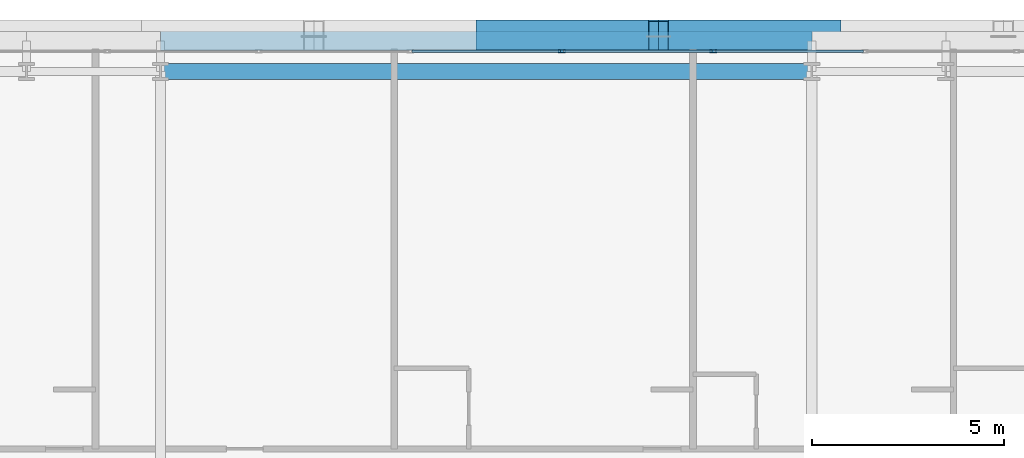
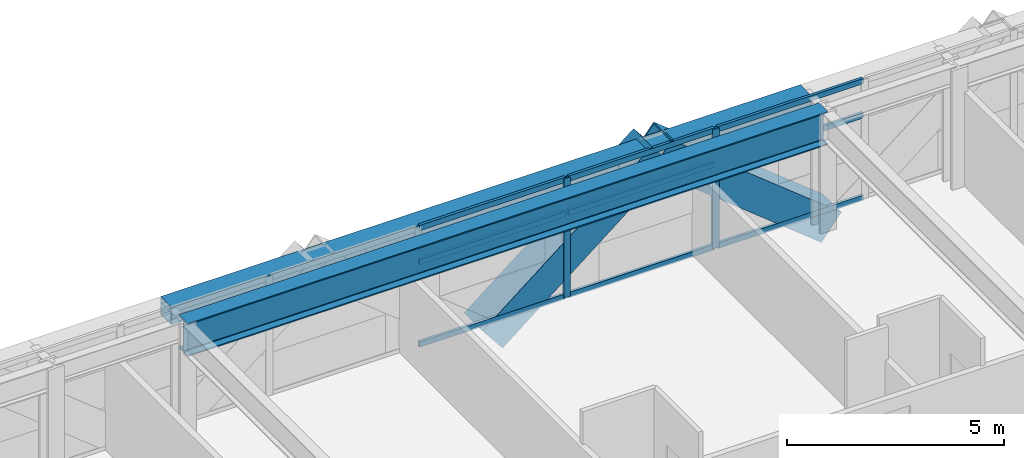
# One storey, part 19 of 35: 13 members, 2 beams, 1 element without a shape of its own.
"""IFC4 building model written with IfcOpenShell, lengths in metres."""

import ifcopenshell
import ifcopenshell.guid

model = None  # the IFC model being written
_history = None  # IfcOwnerHistory: only IFC2X3 demands one
_inside = {}  # id of a spatial element -> (the spatial element, [elements in it])
_under = {}  # id of a project, library or spatial element -> (it, [spatial elements below it])
_declared = {}  # id of a project -> (the project, [libraries it declares])
_typed = {}  # id of a type object -> (the type object, [elements of that type])
_made_of = {}  # id of a material, layer set ... -> (it, [elements and type objects made of it])


def new_model(schema):
    """Start an empty IFC model of exactly this schema.

    Asked for "IFC4X3", IfcOpenShell would pick the latest addendum, in which some entities
    have other attributes; the version numbers below select the first issue.
    IFC2X3 requires an IfcOwnerHistory on every rooted entity: one is made here for all.
    """
    global model, _history
    if schema == "IFC4X3":
        model = ifcopenshell.file(schema_version=(4, 3, 0, 0))
    else:
        model = ifcopenshell.file(schema=schema)
    _inside.clear()
    _under.clear()
    _declared.clear()
    _typed.clear()
    _made_of.clear()
    _history = None
    if model.schema == "IFC2X3":
        org = make("IfcOrganization", Name="unknown")
        user = make(
            "IfcPersonAndOrganization",
            ThePerson=make("IfcPerson", FamilyName="unknown"),
            TheOrganization=org,
        )
        app = make(
            "IfcApplication",
            ApplicationDeveloper=org,
            Version="unknown",
            ApplicationFullName="unknown",
            ApplicationIdentifier="unknown",
        )
        _history = make(
            "IfcOwnerHistory",
            OwningUser=user,
            OwningApplication=app,
            ChangeAction="ADDED",
            CreationDate=0,
        )
    return model


def make(cls, **values):
    """One entity of the class cls with the attributes given. An attribute that is None is left unset."""
    return model.create_entity(
        cls, **{name: value for name, value in values.items() if value is not None}
    )


def rooted(cls, **values):
    """An entity with a GlobalId (a new one), such as an element, a storey or a relation."""
    return make(cls, GlobalId=ifcopenshell.guid.new(), OwnerHistory=_history, **values)


def si_unit(unit_type, name, prefix=None):
    """IfcSIUnit, for example si_unit("LENGTHUNIT", "METRE", prefix="MILLI")."""
    return make("IfcSIUnit", UnitType=unit_type, Prefix=prefix, Name=name)


def assignment(units):
    """IfcUnitAssignment: the units of a project."""
    return None if units is None else make("IfcUnitAssignment", Units=units)


def point(xyz):
    """IfcCartesianPoint."""
    return None if xyz is None else make("IfcCartesianPoint", Coordinates=xyz)


def direction(xyz):
    """IfcDirection."""
    return None if xyz is None else make("IfcDirection", DirectionRatios=xyz)


def frame(location, z_axis=None, x_axis=None):
    """IfcAxis2Placement3D, a coordinate frame: its origin and axes. An axis left out is left unset."""
    return make(
        "IfcAxis2Placement3D",
        Location=point(location),
        Axis=direction(z_axis),
        RefDirection=direction(x_axis),
    )


def frame_2d(location, x_axis=None):
    """IfcAxis2Placement2D, a coordinate frame in the plane: its origin and x axis."""
    return make(
        "IfcAxis2Placement2D", Location=point(location), RefDirection=direction(x_axis)
    )


def origin():
    """The frame at (0, 0, 0) with its axes left unset."""
    return frame((0.0, 0.0, 0.0))


def origin_2d():
    """The frame at (0, 0) in the plane with its x axis left unset."""
    return frame_2d((0.0, 0.0))


def place(relative_to, where):
    """IfcLocalPlacement: puts the frame where relative to a parent placement (None: the world)."""
    return make(
        "IfcLocalPlacement", PlacementRelTo=relative_to, RelativePlacement=where
    )


def context(
    kind, dimensions, precision=None, world=None, true_north=None, identifier=None
):
    """IfcGeometricRepresentationContext, for example the 3D "Model" context."""
    return make(
        "IfcGeometricRepresentationContext",
        ContextIdentifier=identifier,
        ContextType=kind,
        CoordinateSpaceDimension=dimensions,
        Precision=precision,
        WorldCoordinateSystem=world,
        TrueNorth=true_north,
    )


def subcontext(parent, identifier, kind, view, scale=None):
    """IfcGeometricRepresentationSubContext, for example "Body" below "Model"."""
    return make(
        "IfcGeometricRepresentationSubContext",
        ContextIdentifier=identifier,
        ContextType=kind,
        ParentContext=parent,
        TargetScale=scale,
        TargetView=view,
    )


def project(units=None, contexts=None):
    """IfcProject with its units and contexts."""
    return rooted(
        "IfcProject",
        Name="project",
        RepresentationContexts=contexts,
        UnitsInContext=assignment(units),
    )


def spatial(cls, under=None, at=None, **own):
    """A site, building, storey or space (cls), placed at a placement, below another one or the project."""
    s = rooted(cls, ObjectPlacement=at, **own)
    if under is not None:
        _under.setdefault(under.id(), (under, []))[1].append(s)
    return s


def profile(cls, at=None, kind="AREA", **sizes):
    """A parametric profile (cls). Its sizes go by their IFC names, for example OverallWidth=200.0."""
    return make(cls, ProfileType=kind, Position=at, **sizes)


def hollow_rectangle(**sizes):
    """IfcRectangleHollowProfileDef."""
    return profile("IfcRectangleHollowProfileDef", **sizes)


def i_section(**sizes):
    """IfcIShapeProfileDef."""
    return profile("IfcIShapeProfileDef", **sizes)


def extrude(swept, where, along, depth):
    """IfcExtrudedAreaSolid: the profile swept, set in the frame where, extruded along a direction by depth."""
    return make(
        "IfcExtrudedAreaSolid",
        SweptArea=swept,
        Position=where,
        ExtrudedDirection=direction(along),
        Depth=depth,
    )


def shape(context_of_items, identifier, shape_type, items):
    """IfcShapeRepresentation: the items that make up one representation, for example the "Body"."""
    return make(
        "IfcShapeRepresentation",
        ContextOfItems=context_of_items,
        RepresentationIdentifier=identifier,
        RepresentationType=shape_type,
        Items=items,
    )


def source(mapping_origin, context_of_items, identifier, shape_type, items):
    """IfcRepresentationMap: a shape defined once, which mapped items show again and again."""
    return make(
        "IfcRepresentationMap",
        MappingOrigin=mapping_origin,
        MappedRepresentation=shape(context_of_items, identifier, shape_type, items),
    )


def transform(
    local_origin,
    x_axis=None,
    y_axis=None,
    z_axis=None,
    scale=None,
    scale2=None,
    scale3=None,
    uniform=True,
):
    """IfcCartesianTransformationOperator3D, or its non-uniform kind. x_axis, y_axis, z_axis: its Axis1, 2, 3."""
    if uniform:
        return make(
            "IfcCartesianTransformationOperator3D",
            Axis1=direction(x_axis),
            Axis2=direction(y_axis),
            LocalOrigin=point(local_origin),
            Scale=scale,
            Axis3=direction(z_axis),
        )
    return make(
        "IfcCartesianTransformationOperator3DnonUniform",
        Axis1=direction(x_axis),
        Axis2=direction(y_axis),
        LocalOrigin=point(local_origin),
        Scale=scale,
        Axis3=direction(z_axis),
        Scale2=scale2,
        Scale3=scale3,
    )


def mapped(mapping_source, mapping_target):
    """IfcMappedItem: shows the shape of a source again, moved by a transform."""
    return make(
        "IfcMappedItem", MappingSource=mapping_source, MappingTarget=mapping_target
    )


def material(Name=None, Category=None):
    """IfcMaterial."""
    return make("IfcMaterial", Name=Name, Category=Category)


def layer(
    of_material, thickness, ventilated=None, Name=None, Category=None, Priority=None
):
    """IfcMaterialLayer: one layer of a wall or slab, of a material (None: an air gap)."""
    return make(
        "IfcMaterialLayer",
        Material=of_material,
        LayerThickness=thickness,
        IsVentilated=ventilated,
        Name=Name,
        Category=Category,
        Priority=Priority,
    )


def layer_set(layers, Name=None):
    """IfcMaterialLayerSet."""
    return make("IfcMaterialLayerSet", MaterialLayers=layers, LayerSetName=Name)


def material_profile(
    of_material, cross_section, Name=None, Category=None, Priority=None
):
    """IfcMaterialProfile: a cross section and its material."""
    return make(
        "IfcMaterialProfile",
        Name=Name,
        Material=of_material,
        Profile=cross_section,
        Priority=Priority,
        Category=Category,
    )


def profile_set(profiles, Name=None, composite=None):
    """IfcMaterialProfileSet."""
    return make(
        "IfcMaterialProfileSet",
        Name=Name,
        MaterialProfiles=profiles,
        CompositeProfile=composite,
    )


def made_of(thing, what):
    """Note that an element or type object is made of a material, layer set ...; save() writes the relation."""
    if what is not None:
        _made_of.setdefault(what.id(), (what, []))[1].append(thing)
    return thing


def type_object(cls, material=None, **own):
    """A type object (cls), such as IfcWallType, which elements share."""
    return made_of(rooted(cls, **own), material)


def element(
    cls,
    number,
    at=None,
    inside=None,
    cuts=None,
    type_object=None,
    material=None,
    context=None,
    identifier="Body",
    shape_type=None,
    held_by="IfcProductDefinitionShape",
    body=None,
    shapes=None,
    **own,
):
    """One element of the class cls, such as IfcWall. Its Tag is "e" and its number.

    at: its placement. inside: the storey or other place that contains it. cuts: it is an
    opening in that element (IfcRelVoidsElement). A single representation is given by context,
    identifier, shape_type and body (its items); several are given by shapes. held_by: the class
    of the entity that holds the representations. save() writes the other relations.
    """
    e = rooted(cls, Tag="e%d" % number, ObjectPlacement=at, **own)
    if body is not None:
        shapes = [shape(context, identifier, shape_type, body)]
    if shapes is not None:
        e.Representation = make(held_by, Representations=shapes)
    if inside is not None:
        _inside.setdefault(inside.id(), (inside, []))[1].append(e)
    if cuts is not None:
        rooted(
            "IfcRelVoidsElement", RelatingBuildingElement=cuts, RelatedOpeningElement=e
        )
    if type_object is not None:
        _typed.setdefault(type_object.id(), (type_object, []))[1].append(e)
    return made_of(e, material)


def aggregate(whole, parts):
    """IfcRelAggregates: a whole, such as a stair, and the parts it consists of."""
    return rooted("IfcRelAggregates", RelatingObject=whole, RelatedObjects=parts)


def save(model, path):
    """Write the relations noted so far, then the file.

    IfcRelAggregates (storeys below a building ...), IfcRelContainedInSpatialStructure (elements
    in a storey), IfcRelDefinesByType, IfcRelAssociatesMaterial and IfcRelDeclares: one each for
    every whole, place, type object, material and project.
    """
    for whole, parts in _under.values():
        aggregate(whole, parts)
    for where, things in _inside.values():
        rooted(
            "IfcRelContainedInSpatialStructure",
            RelatedElements=things,
            RelatingStructure=where,
        )
    for kind, things in _typed.values():
        rooted("IfcRelDefinesByType", RelatedObjects=things, RelatingType=kind)
    for what, things in _made_of.values():
        rooted("IfcRelAssociatesMaterial", RelatedObjects=things, RelatingMaterial=what)
    for by, libraries in _declared.values():
        rooted("IfcRelDeclares", RelatingContext=by, RelatedDefinitions=libraries)
    model.write(path)


model = new_model("IFC4")

# Units and contexts
model_context = context("Model", 3, precision=1e-05, world=origin(), true_north=direction((0.0, 1.0)))
body_context = subcontext(model_context, "Body", "Model", "MODEL_VIEW")
ifc_project = project(units=[si_unit("LENGTHUNIT", "METRE"), si_unit("AREAUNIT", "SQUARE_METRE"), si_unit("VOLUMEUNIT", "CUBIC_METRE"), si_unit("PLANEANGLEUNIT", "RADIAN"), si_unit("MASSUNIT", "GRAM", prefix="KILO")], contexts=[model_context])

# Site, building, storey
site_placement = place(None, origin())
site = spatial("IfcSite", under=ifc_project, at=site_placement, CompositionType="ELEMENT")
building_placement = place(site_placement, origin())
building = spatial("IfcBuilding", under=site, at=building_placement, Name="Ocotamira Hotel", CompositionType="ELEMENT")
storey_placement = place(building_placement, frame((0.0, 0.0, 63.60009765625)))
storey = spatial("IfcBuildingStorey", under=building, at=storey_placement, Name="L15", CompositionType="ELEMENT", Elevation=63.60009765625)

# Beams
ifc_material_1 = material(Name="Steel ASTM A992 Grade 50", Category="steel")
ifc_material_profile_1 = material_profile(ifc_material_1, i_section(OverallWidth=0.41796875, OverallDepth=0.927001953125, WebThickness=0.019287109375, FlangeThickness=0.031982421875, FilletRadius=0.02392578125, at=origin_2d()), Name="W36X231")
ifc_profile_set_1 = profile_set([ifc_material_profile_1], Name="Steel ASTM A992 Grade 50")
beam_type_1 = type_object("IfcBeamType", Name="BM-GIRD-W36X231", PredefinedType="BEAM", material=ifc_profile_set_1)
shared_shape_1 = source(origin(), body_context, "Body", "SweptSolid", [
    extrude(i_section(OverallWidth=0.41796875, OverallDepth=0.927001953125, WebThickness=0.019287109375, FlangeThickness=0.031982421875, FilletRadius=0.02392578125, at=origin_2d()), origin(), (0.0, 0.0, 1.0), 17.0),
])
beam_1_placement = place(storey_placement, frame((23.5, 49.050048828125, 2.886474609375), z_axis=(1.0, 0.0, 0.0), x_axis=(0.0, 1.0, 0.0)))
element("IfcBeam", 1, at=beam_1_placement, inside=storey, type_object=beam_type_1, Name="L15 Girder Y49.05 X23.5-40.5", PredefinedType="BEAM", context=body_context, shape_type="MappedRepresentation", body=[
    mapped(shared_shape_1, transform((0.0, 0.0, 0.0), scale=1.0)),
])
ifc_material_2 = material(Name="Steel ASTM A500 Grade C", Category="steel")
ifc_material_profile_2 = material_profile(ifc_material_2, hollow_rectangle(XDim=0.5, YDim=0.5, WallThickness=0.02001953125, at=origin_2d()), Name="HSS500X500X20")
ifc_profile_set_2 = profile_set([ifc_material_profile_2], Name="Steel ASTM A500 Grade C")
beam_type_2 = type_object("IfcBeamType", Name="BM-SPAN-HSS500", PredefinedType="USERDEFINED", material=ifc_profile_set_2)
shared_shape_2 = source(origin(), body_context, "Body", "SweptSolid", [
    extrude(hollow_rectangle(XDim=0.5, YDim=0.5, WallThickness=0.02001953125, at=origin_2d()), origin(), (0.0, 0.0, 1.0), 17.0),
])
beam_2_placement = place(storey_placement, frame((23.5, 49.85009765625, 3.099853515625), z_axis=(1.0, 0.0, 0.0), x_axis=(0.0, 1.0, 0.0)))
element("IfcBeam", 2, at=beam_2_placement, inside=storey, type_object=beam_type_2, Name="L15 Edge Spandrel N X23.5-40.5", ObjectType="SPANDREL", PredefinedType="USERDEFINED", context=body_context, shape_type="MappedRepresentation", body=[
    mapped(shared_shape_2, transform((0.0, 0.0, 0.0), scale=1.0)),
])

# Members
ifc_material_3 = material(Name="Pale-metal coated steel ASTM A913 Grade 65", Category="steel")
ifc_material_profile_3 = material_profile(ifc_material_3, hollow_rectangle(XDim=0.85009765625, YDim=0.85009765625, WallThickness=0.035888671875, at=origin_2d()), Name="BOX850X850X36")
ifc_profile_set_3 = profile_set([ifc_material_profile_3], Name="Pale-metal coated steel ASTM A913 Grade 65")
member_type_1 = type_object("IfcMemberType", Name="MEM-EXO-BOX850", PredefinedType="BRACE", material=ifc_profile_set_3)
shared_shape_3 = source(origin(), body_context, "Body", "SweptSolid", [
    extrude(hollow_rectangle(XDim=0.85009765625, YDim=0.85009765625, WallThickness=0.035888671875, at=origin_2d()), origin(), (0.0, 0.0, 1.0), 5.7626953125),
])
for number, where, z_axis, x_axis, name in (
    (3, (32.0, 49.969970703125, -0.5), (0.780881208953, 0.0, 0.624679547852), (0.0, 1.0, 0.0), "L15 Exoskeleton Diagrid N2.1"),
    (4, (41.0, 49.969970703125, -0.5), (-0.780881208953, 0.0, 0.624679547852), (0.0, -1.0, 0.0), "L15 Exoskeleton Diagrid N2.2"),
):
    element("IfcMember", number, at=place(storey_placement, frame(where, z_axis=z_axis, x_axis=x_axis)), inside=storey, type_object=member_type_1, Name=name, PredefinedType="BRACE", context=body_context, shape_type="MappedRepresentation", body=[
        mapped(shared_shape_3, transform((0.0, 0.0, 0.0), scale=1.0)),
    ])

# Curtain wall, members
ifc_material_4 = material(Name="Anodised pale-metal aluminium and solar glass", Category="aluminium")
ifc_layer = layer(ifc_material_4, 0.179931640625)
ifc_layer_set = layer_set([ifc_layer], Name="Anodised pale-metal aluminium and solar glass")
curtain_wall_type = type_object("IfcCurtainWallType", Name="CW-SYS2-Z1", PredefinedType="NOTDEFINED", material=ifc_layer_set)
curtain_wall_placement = place(storey_placement, origin())
curtain_wall = element("IfcCurtainWall", 5, at=curtain_wall_placement, inside=storey, type_object=curtain_wall_type, Name="L15 Curtain Wall CW-2 CW-L15-N", PredefinedType="NOTDEFINED")
ifc_material_5 = material(Name="Anodised pale-metal aluminium 6063-T6", Category="aluminium")
ifc_material_profile_4 = material_profile(ifc_material_5, hollow_rectangle(XDim=0.080078125, YDim=0.179931640625, WallThickness=0.006103515625, at=origin_2d()), Name="HSS180X80X6")
ifc_profile_set_4 = profile_set([ifc_material_profile_4], Name="Anodised pale-metal aluminium 6063-T6")
member_type_2 = type_object("IfcMemberType", Name="CWM-180X75", PredefinedType="MULLION", material=ifc_profile_set_4)
shared_shape_4 = source(origin(), body_context, "Body", "SweptSolid", [
    extrude(hollow_rectangle(XDim=0.080078125, YDim=0.179931640625, WallThickness=0.006103515625, at=origin_2d()), origin(), (0.0, 0.0, 1.0), 3.349853515625),
])
member_1_placement = place(storey_placement, frame((33.977783203125, 49.580078125, 0.0), z_axis=(0.0, 0.0, 1.0), x_axis=(0.0, 1.0, 0.0)))
member_1 = element("IfcMember", 6, at=member_1_placement, type_object=member_type_2, Name="CW-2 mullion 6", PredefinedType="MULLION", context=body_context, shape_type="MappedRepresentation", body=[
    mapped(shared_shape_4, transform((0.0, 0.0, 0.0), scale=1.0)),
])
member_2_placement = place(storey_placement, frame((37.933349609375, 49.580078125, 0.0), z_axis=(0.0, 0.0, 1.0), x_axis=(0.0, 1.0, 0.0)))
member_2 = element("IfcMember", 7, at=member_2_placement, type_object=member_type_2, Name="CW-2 mullion 7", PredefinedType="MULLION", context=body_context, shape_type="MappedRepresentation", body=[
    mapped(shared_shape_4, transform((0.0, 0.0, 0.0), scale=1.0)),
])
ifc_material_profile_5 = material_profile(ifc_material_5, hollow_rectangle(XDim=0.074951171875, YDim=0.14990234375, WallThickness=0.006103515625, at=origin_2d()), Name="HSS150X75X6")
ifc_profile_set_5 = profile_set([ifc_material_profile_5], Name="Anodised pale-metal aluminium 6063-T6")
member_type_3 = type_object("IfcMemberType", Name="CWT-150X75", PredefinedType="USERDEFINED", material=ifc_profile_set_5)
shared_shape_5 = source(origin(), body_context, "Body", "SweptSolid", [
    extrude(hollow_rectangle(XDim=0.074951171875, YDim=0.14990234375, WallThickness=0.006103515625, at=origin_2d()), origin(), (0.0, 0.0, 1.0), 3.87548828125),
])
member_3_placement = place(storey_placement, frame((30.062255859375, 49.580078125, 0.037353515625), z_axis=(1.0, 0.0, 0.0), x_axis=(0.0, 1.0, 0.0)))
member_3 = element("IfcMember", 8, at=member_3_placement, type_object=member_type_3, Name="CW-2 transom 5.1", ObjectType="TRANSOM", PredefinedType="USERDEFINED", context=body_context, shape_type="MappedRepresentation", body=[
    mapped(shared_shape_5, transform((0.0, 0.0, 0.0), scale=1.0)),
])
member_4_placement = place(storey_placement, frame((30.062255859375, 49.580078125, 2.349853515625), z_axis=(1.0, 0.0, 0.0), x_axis=(0.0, 1.0, 0.0)))
member_4 = element("IfcMember", 9, at=member_4_placement, type_object=member_type_3, Name="CW-2 transom 5.2", ObjectType="TRANSOM", PredefinedType="USERDEFINED", context=body_context, shape_type="MappedRepresentation", body=[
    mapped(shared_shape_5, transform((0.0, 0.0, 0.0), scale=1.0)),
])
member_5_placement = place(storey_placement, frame((30.062255859375, 49.580078125, 3.3125), z_axis=(1.0, 0.0, 0.0), x_axis=(0.0, 1.0, 0.0)))
member_5 = element("IfcMember", 10, at=member_5_placement, type_object=member_type_3, Name="CW-2 transom 5.3", ObjectType="TRANSOM", PredefinedType="USERDEFINED", context=body_context, shape_type="MappedRepresentation", body=[
    mapped(shared_shape_5, transform((0.0, 0.0, 0.0), scale=1.0)),
])
member_6_placement = place(storey_placement, frame((34.017822265625, 49.580078125, 0.037353515625), z_axis=(1.0, 0.0, 0.0), x_axis=(0.0, 1.0, 0.0)))
member_6 = element("IfcMember", 11, at=member_6_placement, type_object=member_type_3, Name="CW-2 transom 6.1", ObjectType="TRANSOM", PredefinedType="USERDEFINED", context=body_context, shape_type="MappedRepresentation", body=[
    mapped(shared_shape_5, transform((0.0, 0.0, 0.0), scale=1.0)),
])
member_7_placement = place(storey_placement, frame((34.017822265625, 49.580078125, 2.349853515625), z_axis=(1.0, 0.0, 0.0), x_axis=(0.0, 1.0, 0.0)))
member_7 = element("IfcMember", 12, at=member_7_placement, type_object=member_type_3, Name="CW-2 transom 6.2", ObjectType="TRANSOM", PredefinedType="USERDEFINED", context=body_context, shape_type="MappedRepresentation", body=[
    mapped(shared_shape_5, transform((0.0, 0.0, 0.0), scale=1.0)),
])
member_8_placement = place(storey_placement, frame((34.017822265625, 49.580078125, 3.3125), z_axis=(1.0, 0.0, 0.0), x_axis=(0.0, 1.0, 0.0)))
member_8 = element("IfcMember", 13, at=member_8_placement, type_object=member_type_3, Name="CW-2 transom 6.3", ObjectType="TRANSOM", PredefinedType="USERDEFINED", context=body_context, shape_type="MappedRepresentation", body=[
    mapped(shared_shape_5, transform((0.0, 0.0, 0.0), scale=1.0)),
])
member_9_placement = place(storey_placement, frame((37.973388671875, 49.580078125, 0.037353515625), z_axis=(1.0, 0.0, 0.0), x_axis=(0.0, 1.0, 0.0)))
member_9 = element("IfcMember", 14, at=member_9_placement, type_object=member_type_3, Name="CW-2 transom 7.1", ObjectType="TRANSOM", PredefinedType="USERDEFINED", context=body_context, shape_type="MappedRepresentation", body=[
    mapped(shared_shape_5, transform((0.0, 0.0, 0.0), scale=1.0)),
])
member_10_placement = place(storey_placement, frame((37.973388671875, 49.580078125, 2.349853515625), z_axis=(1.0, 0.0, 0.0), x_axis=(0.0, 1.0, 0.0)))
member_10 = element("IfcMember", 15, at=member_10_placement, type_object=member_type_3, Name="CW-2 transom 7.2", ObjectType="TRANSOM", PredefinedType="USERDEFINED", context=body_context, shape_type="MappedRepresentation", body=[
    mapped(shared_shape_5, transform((0.0, 0.0, 0.0), scale=1.0)),
])
member_11_placement = place(storey_placement, frame((37.973388671875, 49.580078125, 3.3125), z_axis=(1.0, 0.0, 0.0), x_axis=(0.0, 1.0, 0.0)))
member_11 = element("IfcMember", 16, at=member_11_placement, type_object=member_type_3, Name="CW-2 transom 7.3", ObjectType="TRANSOM", PredefinedType="USERDEFINED", context=body_context, shape_type="MappedRepresentation", body=[
    mapped(shared_shape_5, transform((0.0, 0.0, 0.0), scale=1.0)),
])
aggregate(curtain_wall, [member_1, member_2, member_3, member_4, member_5, member_6, member_7, member_8, member_9, member_10, member_11])

save(model, "model.ifc")
